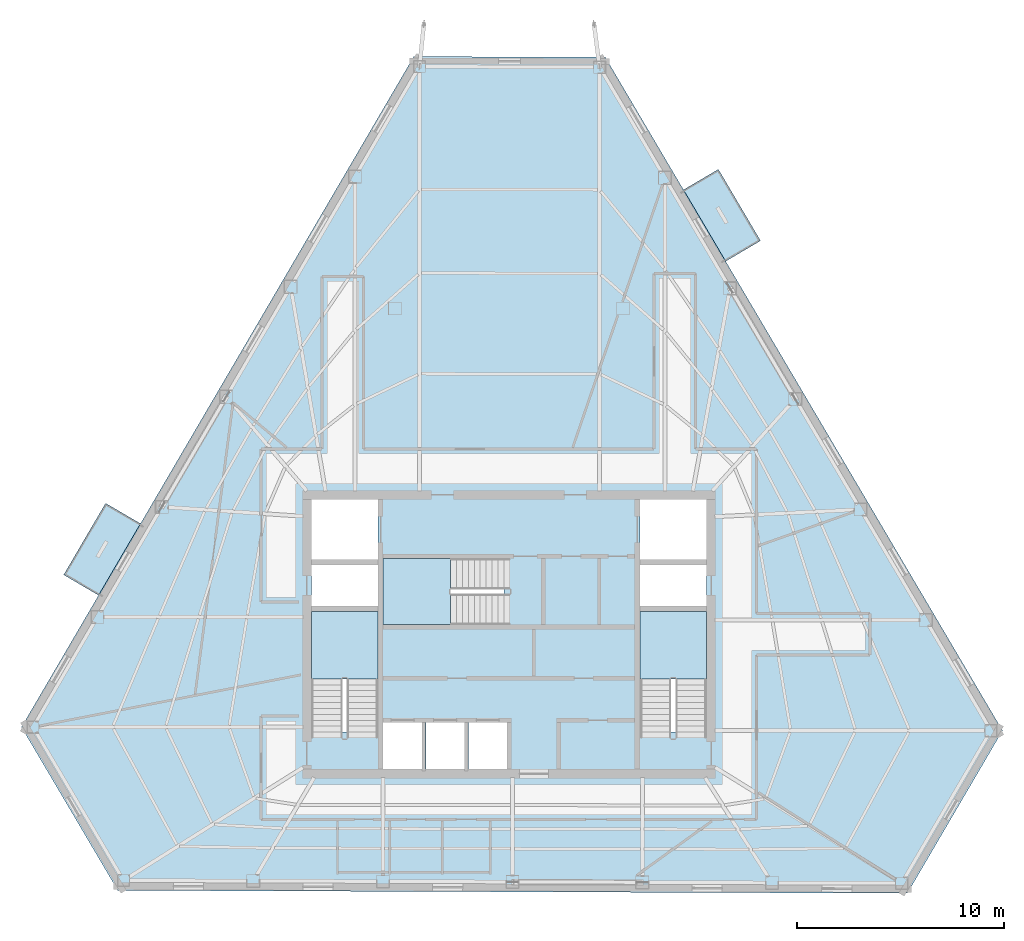
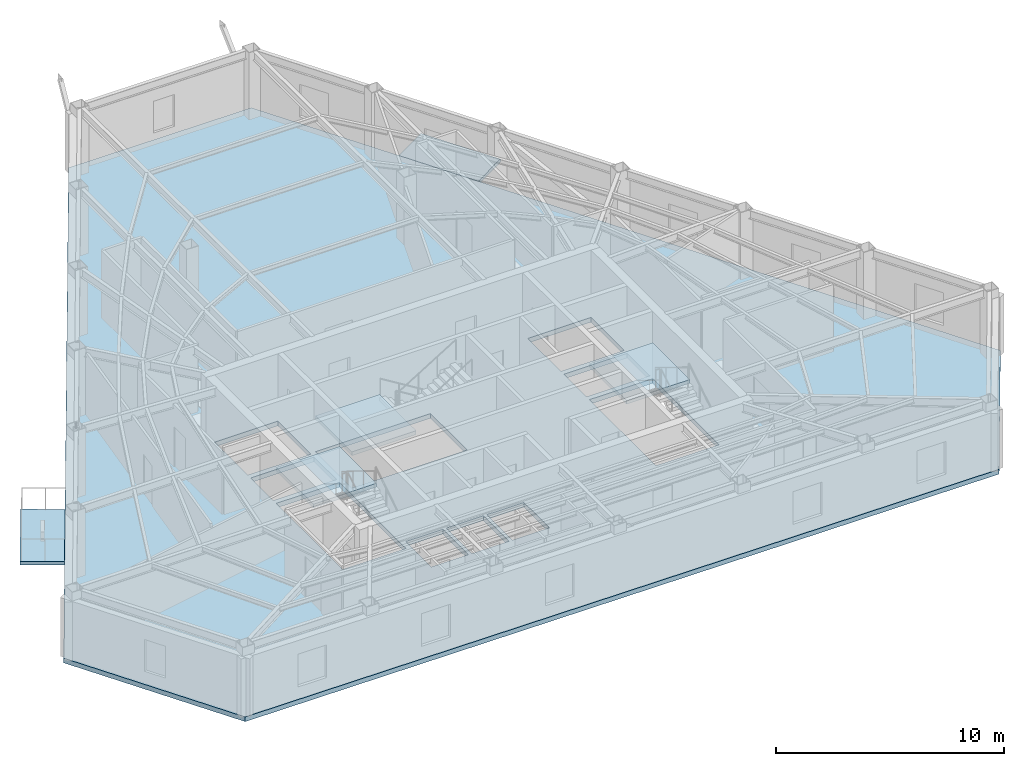
# One storey, part 3 of 10: 6 slabs, 3 elements without a shape of their own.
"""IFC4 building model written with IfcOpenShell, lengths in metres."""

import ifcopenshell
import ifcopenshell.guid

model = None  # the IFC model being written
_history = None  # IfcOwnerHistory: only IFC2X3 demands one
_inside = {}  # id of a spatial element -> (the spatial element, [elements in it])
_under = {}  # id of a project, library or spatial element -> (it, [spatial elements below it])
_declared = {}  # id of a project -> (the project, [libraries it declares])
_typed = {}  # id of a type object -> (the type object, [elements of that type])
_made_of = {}  # id of a material, layer set ... -> (it, [elements and type objects made of it])


def new_model(schema):
    """Start an empty IFC model of exactly this schema.

    Asked for "IFC4X3", IfcOpenShell would pick the latest addendum, in which some entities
    have other attributes; the version numbers below select the first issue.
    IFC2X3 requires an IfcOwnerHistory on every rooted entity: one is made here for all.
    """
    global model, _history
    if schema == "IFC4X3":
        model = ifcopenshell.file(schema_version=(4, 3, 0, 0))
    else:
        model = ifcopenshell.file(schema=schema)
    _inside.clear()
    _under.clear()
    _declared.clear()
    _typed.clear()
    _made_of.clear()
    _history = None
    if model.schema == "IFC2X3":
        org = make("IfcOrganization", Name="unknown")
        user = make(
            "IfcPersonAndOrganization",
            ThePerson=make("IfcPerson", FamilyName="unknown"),
            TheOrganization=org,
        )
        app = make(
            "IfcApplication",
            ApplicationDeveloper=org,
            Version="unknown",
            ApplicationFullName="unknown",
            ApplicationIdentifier="unknown",
        )
        _history = make(
            "IfcOwnerHistory",
            OwningUser=user,
            OwningApplication=app,
            ChangeAction="ADDED",
            CreationDate=0,
        )
    return model


def make(cls, **values):
    """One entity of the class cls with the attributes given. An attribute that is None is left unset."""
    return model.create_entity(
        cls, **{name: value for name, value in values.items() if value is not None}
    )


def rooted(cls, **values):
    """An entity with a GlobalId (a new one), such as an element, a storey or a relation."""
    return make(cls, GlobalId=ifcopenshell.guid.new(), OwnerHistory=_history, **values)


def si_unit(unit_type, name, prefix=None):
    """IfcSIUnit, for example si_unit("LENGTHUNIT", "METRE", prefix="MILLI")."""
    return make("IfcSIUnit", UnitType=unit_type, Prefix=prefix, Name=name)


def assignment(units):
    """IfcUnitAssignment: the units of a project."""
    return None if units is None else make("IfcUnitAssignment", Units=units)


def point(xyz):
    """IfcCartesianPoint."""
    return None if xyz is None else make("IfcCartesianPoint", Coordinates=xyz)


def direction(xyz):
    """IfcDirection."""
    return None if xyz is None else make("IfcDirection", DirectionRatios=xyz)


def frame(location, z_axis=None, x_axis=None):
    """IfcAxis2Placement3D, a coordinate frame: its origin and axes. An axis left out is left unset."""
    return make(
        "IfcAxis2Placement3D",
        Location=point(location),
        Axis=direction(z_axis),
        RefDirection=direction(x_axis),
    )


def origin():
    """The frame at (0, 0, 0) with its axes left unset."""
    return frame((0.0, 0.0, 0.0))


def place(relative_to, where):
    """IfcLocalPlacement: puts the frame where relative to a parent placement (None: the world)."""
    return make(
        "IfcLocalPlacement", PlacementRelTo=relative_to, RelativePlacement=where
    )


def context(
    kind, dimensions, precision=None, world=None, true_north=None, identifier=None
):
    """IfcGeometricRepresentationContext, for example the 3D "Model" context."""
    return make(
        "IfcGeometricRepresentationContext",
        ContextIdentifier=identifier,
        ContextType=kind,
        CoordinateSpaceDimension=dimensions,
        Precision=precision,
        WorldCoordinateSystem=world,
        TrueNorth=true_north,
    )


def subcontext(parent, identifier, kind, view, scale=None):
    """IfcGeometricRepresentationSubContext, for example "Body" below "Model"."""
    return make(
        "IfcGeometricRepresentationSubContext",
        ContextIdentifier=identifier,
        ContextType=kind,
        ParentContext=parent,
        TargetScale=scale,
        TargetView=view,
    )


def project(units=None, contexts=None):
    """IfcProject with its units and contexts."""
    return rooted(
        "IfcProject",
        Name="project",
        RepresentationContexts=contexts,
        UnitsInContext=assignment(units),
    )


def spatial(cls, under=None, at=None, **own):
    """A site, building, storey or space (cls), placed at a placement, below another one or the project."""
    s = rooted(cls, ObjectPlacement=at, **own)
    if under is not None:
        _under.setdefault(under.id(), (under, []))[1].append(s)
    return s


def polyline(points):
    """IfcPolyline through the points."""
    return make("IfcPolyline", Points=[point(p) for p in points])


def outline(outer, holes=None, kind="AREA"):
    """IfcArbitraryClosedProfileDef: a profile drawn as a closed curve; with holes, ...WithVoids."""
    if holes is None:
        return make("IfcArbitraryClosedProfileDef", ProfileType=kind, OuterCurve=outer)
    return make(
        "IfcArbitraryProfileDefWithVoids",
        ProfileType=kind,
        OuterCurve=outer,
        InnerCurves=holes,
    )


def extrude(swept, where, along, depth):
    """IfcExtrudedAreaSolid: the profile swept, set in the frame where, extruded along a direction by depth."""
    return make(
        "IfcExtrudedAreaSolid",
        SweptArea=swept,
        Position=where,
        ExtrudedDirection=direction(along),
        Depth=depth,
    )


def shape(context_of_items, identifier, shape_type, items):
    """IfcShapeRepresentation: the items that make up one representation, for example the "Body"."""
    return make(
        "IfcShapeRepresentation",
        ContextOfItems=context_of_items,
        RepresentationIdentifier=identifier,
        RepresentationType=shape_type,
        Items=items,
    )


def material(Name=None, Category=None):
    """IfcMaterial."""
    return make("IfcMaterial", Name=Name, Category=Category)


def layer(
    of_material, thickness, ventilated=None, Name=None, Category=None, Priority=None
):
    """IfcMaterialLayer: one layer of a wall or slab, of a material (None: an air gap)."""
    return make(
        "IfcMaterialLayer",
        Material=of_material,
        LayerThickness=thickness,
        IsVentilated=ventilated,
        Name=Name,
        Category=Category,
        Priority=Priority,
    )


def layer_set(layers, Name=None):
    """IfcMaterialLayerSet."""
    return make("IfcMaterialLayerSet", MaterialLayers=layers, LayerSetName=Name)


def made_of(thing, what):
    """Note that an element or type object is made of a material, layer set ...; save() writes the relation."""
    if what is not None:
        _made_of.setdefault(what.id(), (what, []))[1].append(thing)
    return thing


def type_object(cls, material=None, **own):
    """A type object (cls), such as IfcWallType, which elements share."""
    return made_of(rooted(cls, **own), material)


def element(
    cls,
    number,
    at=None,
    inside=None,
    cuts=None,
    type_object=None,
    material=None,
    context=None,
    identifier="Body",
    shape_type=None,
    held_by="IfcProductDefinitionShape",
    body=None,
    shapes=None,
    **own,
):
    """One element of the class cls, such as IfcWall. Its Tag is "e" and its number.

    at: its placement. inside: the storey or other place that contains it. cuts: it is an
    opening in that element (IfcRelVoidsElement). A single representation is given by context,
    identifier, shape_type and body (its items); several are given by shapes. held_by: the class
    of the entity that holds the representations. save() writes the other relations.
    """
    e = rooted(cls, Tag="e%d" % number, ObjectPlacement=at, **own)
    if body is not None:
        shapes = [shape(context, identifier, shape_type, body)]
    if shapes is not None:
        e.Representation = make(held_by, Representations=shapes)
    if inside is not None:
        _inside.setdefault(inside.id(), (inside, []))[1].append(e)
    if cuts is not None:
        rooted(
            "IfcRelVoidsElement", RelatingBuildingElement=cuts, RelatedOpeningElement=e
        )
    if type_object is not None:
        _typed.setdefault(type_object.id(), (type_object, []))[1].append(e)
    return made_of(e, material)


def aggregate(whole, parts):
    """IfcRelAggregates: a whole, such as a stair, and the parts it consists of."""
    return rooted("IfcRelAggregates", RelatingObject=whole, RelatedObjects=parts)


def save(model, path):
    """Write the relations noted so far, then the file.

    IfcRelAggregates (storeys below a building ...), IfcRelContainedInSpatialStructure (elements
    in a storey), IfcRelDefinesByType, IfcRelAssociatesMaterial and IfcRelDeclares: one each for
    every whole, place, type object, material and project.
    """
    for whole, parts in _under.values():
        aggregate(whole, parts)
    for where, things in _inside.values():
        rooted(
            "IfcRelContainedInSpatialStructure",
            RelatedElements=things,
            RelatingStructure=where,
        )
    for kind, things in _typed.values():
        rooted("IfcRelDefinesByType", RelatedObjects=things, RelatingType=kind)
    for what, things in _made_of.values():
        rooted("IfcRelAssociatesMaterial", RelatedObjects=things, RelatingMaterial=what)
    for by, libraries in _declared.values():
        rooted("IfcRelDeclares", RelatingContext=by, RelatedDefinitions=libraries)
    model.write(path)


model = new_model("IFC4")

# Units and contexts
model_context = context("Model", 3, precision=1e-05, world=origin(), true_north=direction((0.0, 1.0)))
body_context = subcontext(model_context, "Body", "Model", "MODEL_VIEW")
ifc_project = project(units=[si_unit("LENGTHUNIT", "METRE"), si_unit("AREAUNIT", "SQUARE_METRE"), si_unit("VOLUMEUNIT", "CUBIC_METRE"), si_unit("PLANEANGLEUNIT", "RADIAN"), si_unit("MASSUNIT", "GRAM", prefix="KILO")], contexts=[model_context])

# Site, building, storey
site_placement = place(None, origin())
site = spatial("IfcSite", under=ifc_project, at=site_placement, CompositionType="ELEMENT")
building_placement = place(site_placement, origin())
building = spatial("IfcBuilding", under=site, at=building_placement, Name="Kavelnor Concourse Tower", CompositionType="ELEMENT")
storey_placement = place(building_placement, frame((0.0, 0.0, 199.64990234375)))
storey = spatial("IfcBuildingStorey", under=building, at=storey_placement, Name="L50", CompositionType="ELEMENT", Elevation=199.64990234375)

# Slabs
ifc_material = material(Name="Concrete C40/50", Category="concrete")
ifc_layer_1 = layer(ifc_material, 0.169921875, Name="Concrete C40/50")
ifc_layer_set_1 = layer_set([ifc_layer_1], Name="Concrete C40/50")
slab_type_1 = type_object("IfcSlabType", Name="SLB-BALCONY-170", PredefinedType="FLOOR", material=ifc_layer_set_1)
slab_1_placement = place(storey_placement, frame((0.0, 0.0, -0.169921875)))
element("IfcSlab", 1, at=slab_1_placement, inside=storey, type_object=slab_type_1, Name="L50 Cantilevered Tree Balcony Slab 1", PredefinedType="FLOOR", context=body_context, shape_type="SweptSolid", body=[
    extrude(outline(polyline([(48.09228515625, 38.51025390625), (50.12451171875, 35.06494140625), (48.445068359375, 34.07421875), (46.41259765625, 37.519287109375), (48.09228515625, 38.51025390625)])), origin(), (0.0, 0.0, 1.0), 0.169921875),
])
slab_2_placement = place(storey_placement, frame((0.0, 0.0, -0.169921875)))
element("IfcSlab", 2, at=slab_2_placement, inside=storey, type_object=slab_type_1, Name="L50 Cantilevered Tree Balcony Slab 2", PredefinedType="FLOOR", context=body_context, shape_type="SweptSolid", body=[
    extrude(outline(polyline([(16.539794921875, 18.963623046875), (18.559814453125, 22.416015625), (20.242919921875, 21.431396484375), (18.222900390625, 17.97900390625), (16.539794921875, 18.963623046875)])), origin(), (0.0, 0.0, 1.0), 0.169921875),
])

# Stair, slab
stair_type = type_object("IfcStairType", Name="STR-CORE-1500", PredefinedType="HALF_TURN_STAIR", material=ifc_material)
stair_1_placement = place(storey_placement, origin())
stair_1 = element("IfcStair", 3, at=stair_1_placement, inside=storey, type_object=stair_type, Name="L50 ST1", PredefinedType="HALF_TURN_STAIR")
ifc_layer_2 = layer(ifc_material, 0.199951171875, Name="Concrete C40/50")
ifc_layer_set_2 = layer_set([ifc_layer_2], Name="Concrete C40/50")
slab_type_2 = type_object("IfcSlabType", Name="SLB-LANDING-200", PredefinedType="LANDING", material=ifc_layer_set_2)
slab_3_placement = place(storey_placement, frame((0.0, 0.0, 1.72509765625)))
slab_3 = element("IfcSlab", 4, at=slab_3_placement, type_object=slab_type_2, Name="ST1 landing 1", PredefinedType="LANDING", context=body_context, shape_type="SweptSolid", body=[
    extrude(outline(polyline([(31.679931640625, 13.949951171875), (31.679931640625, 17.199951171875), (28.47998046875, 17.199951171875), (28.47998046875, 13.949951171875), (31.679931640625, 13.949951171875)])), origin(), (0.0, 0.0, 1.0), 0.199951171875),
])
aggregate(stair_1, [slab_3])

stair_2_placement = place(storey_placement, origin())
stair_2 = element("IfcStair", 5, at=stair_2_placement, inside=storey, type_object=stair_type, Name="L50 ST2", PredefinedType="HALF_TURN_STAIR")
slab_4_placement = place(storey_placement, frame((0.0, 0.0, 1.72509765625)))
slab_4 = element("IfcSlab", 6, at=slab_4_placement, type_object=slab_type_2, Name="ST2 landing 1", PredefinedType="LANDING", context=body_context, shape_type="SweptSolid", body=[
    extrude(outline(polyline([(47.52001953125, 13.949951171875), (47.52001953125, 17.199951171875), (44.320068359375, 17.199951171875), (44.320068359375, 13.949951171875), (47.52001953125, 13.949951171875)])), origin(), (0.0, 0.0, 1.0), 0.199951171875),
])
aggregate(stair_2, [slab_4])

stair_3_placement = place(storey_placement, origin())
stair_3 = element("IfcStair", 7, at=stair_3_placement, inside=storey, type_object=stair_type, Name="L50 ST3", PredefinedType="HALF_TURN_STAIR")
slab_5_placement = place(storey_placement, frame((0.0, 0.0, 1.72509765625)))
slab_5 = element("IfcSlab", 8, at=slab_5_placement, type_object=slab_type_2, Name="ST3 landing 1", PredefinedType="LANDING", context=body_context, shape_type="SweptSolid", body=[
    extrude(outline(polyline([(35.18994140625, 19.760009765625), (31.93994140625, 19.760009765625), (31.93994140625, 16.56005859375), (35.18994140625, 16.56005859375), (35.18994140625, 19.760009765625)])), origin(), (0.0, 0.0, 1.0), 0.199951171875),
])
aggregate(stair_3, [slab_5])

# Slab
ifc_layer_3 = layer(ifc_material, 0.25, Name="Concrete C40/50")
ifc_layer_set_3 = layer_set([ifc_layer_3], Name="Concrete C40/50")
slab_type_3 = type_object("IfcSlabType", Name="SLB-OFFICE-250", PredefinedType="FLOOR", material=ifc_layer_set_3)
slab_6_placement = place(storey_placement, frame((0.0, 0.0, -0.25)))
element("IfcSlab", 9, at=slab_6_placement, inside=storey, type_object=slab_type_3, Name="L50 Composite Structural Floor Slab", PredefinedType="FLOOR", context=body_context, shape_type="SweptSolid", body=[
    extrude(outline(polyline([(42.642822265625, 43.91015625), (33.414306640625, 43.943115234375), (14.505859375, 11.625732421875), (19.148681640625, 3.755126953125), (57.201171875, 3.619140625), (61.786865234375, 11.456787109375), (42.642822265625, 43.91015625)]), holes=[polyline([(28.47998046875, 11.3798828125), (31.679931640625, 11.3798828125), (31.679931640625, 17.199951171875), (28.47998046875, 17.199951171875), (28.47998046875, 11.3798828125)]), polyline([(44.320068359375, 11.3798828125), (47.52001953125, 11.3798828125), (47.52001953125, 17.199951171875), (44.320068359375, 17.199951171875), (44.320068359375, 11.3798828125)]), polyline([(31.93994140625, 16.56005859375), (37.760009765625, 16.56005859375), (37.760009765625, 19.760009765625), (31.93994140625, 19.760009765625), (31.93994140625, 16.56005859375)]), polyline([(28.47998046875, 19.699951171875), (31.679931640625, 19.699951171875), (31.679931640625, 22.60009765625), (28.47998046875, 22.60009765625), (28.47998046875, 19.699951171875)]), polyline([(44.320068359375, 19.699951171875), (47.52001953125, 19.699951171875), (47.52001953125, 22.60009765625), (44.320068359375, 22.60009765625), (44.320068359375, 19.699951171875)]), polyline([(31.93994140625, 9.60009765625), (33.81005859375, 9.60009765625), (33.81005859375, 11.840087890625), (31.93994140625, 11.840087890625), (31.93994140625, 9.60009765625)]), polyline([(33.989990234375, 9.60009765625), (35.860107421875, 9.60009765625), (35.860107421875, 11.840087890625), (33.989990234375, 11.840087890625), (33.989990234375, 9.60009765625)]), polyline([(36.0400390625, 9.60009765625), (37.909912109375, 9.60009765625), (37.909912109375, 11.840087890625), (36.0400390625, 11.840087890625), (36.0400390625, 9.60009765625)]), polyline([(28.47998046875, 17.4599609375), (31.679931640625, 17.4599609375), (31.679931640625, 19.43994140625), (28.47998046875, 19.43994140625), (28.47998046875, 17.4599609375)]), polyline([(44.320068359375, 17.4599609375), (47.52001953125, 17.4599609375), (47.52001953125, 19.43994140625), (44.320068359375, 19.43994140625), (44.320068359375, 17.4599609375)])]), origin(), (0.0, 0.0, 1.0), 0.25),
])

save(model, "model.ifc")
